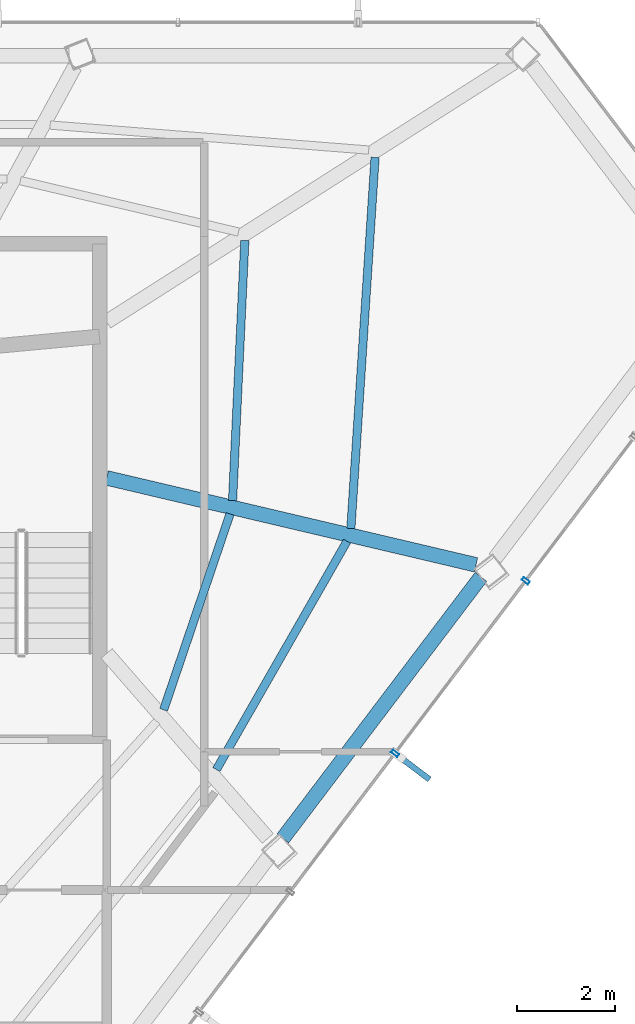
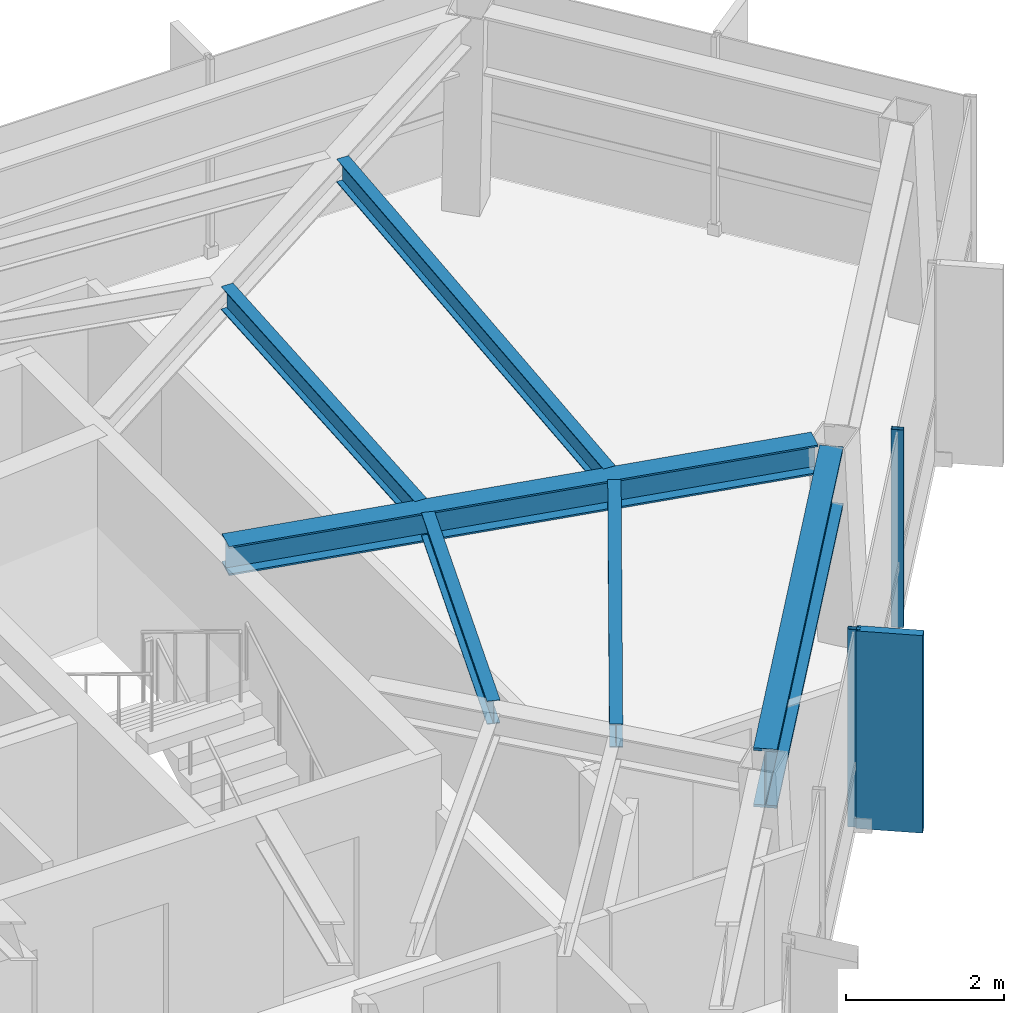
# One storey, part 17 of 24: 6 beams, 3 members, 1 element without a shape of its own.
"""IFC4 building model written with IfcOpenShell, lengths in metres."""

from ifc_helpers import new_model, si_unit, direction, frame, origin, origin_2d, place, context, subcontext, project, spatial, rectangle, hollow_rectangle, i_section, extrude, material, layer, layer_set, material_profile, profile_set, type_object, element, aggregate, save


model = new_model("IFC4")

# Units and contexts
model_context = context("Model", 3, precision=1e-05, world=origin(), true_north=direction((0.0, 1.0)))
body_context = subcontext(model_context, "Body", "Model", "MODEL_VIEW")
ifc_project = project(units=[si_unit("LENGTHUNIT", "METRE"), si_unit("AREAUNIT", "SQUARE_METRE"), si_unit("VOLUMEUNIT", "CUBIC_METRE"), si_unit("PLANEANGLEUNIT", "RADIAN"), si_unit("MASSUNIT", "GRAM", prefix="KILO")], contexts=[model_context])

# Site, building, storey
site_placement = place(None, origin())
site = spatial("IfcSite", under=ifc_project, at=site_placement, CompositionType="ELEMENT")
building_placement = place(site_placement, origin())
building = spatial("IfcBuilding", under=site, at=building_placement, Name="Zarrinselat Tower", CompositionType="ELEMENT")
storey_placement = place(building_placement, frame((0.0, 0.0, 249.56005859375)))
storey = spatial("IfcBuildingStorey", under=building, at=storey_placement, Name="L63", CompositionType="ELEMENT", Elevation=249.56005859375)

# Beams
ifc_material_1 = material(Name="Steel S355J2", Category="steel")
ifc_material_profile_1 = material_profile(ifc_material_1, i_section(OverallWidth=0.300048828125, OverallDepth=0.449951171875, WebThickness=0.013916015625, FlangeThickness=0.02587890625, at=origin_2d()), Name="HEB 450")
ifc_profile_set_1 = profile_set([ifc_material_profile_1], Name="Steel S355J2")
beam_type_1 = type_object("IfcBeamType", Name="BM-HEB450", PredefinedType="BEAM", material=ifc_profile_set_1)
beam_1_placement = place(storey_placement, frame((48.35009765625, 38.60009765625, 2.824951171875), z_axis=(0.973386293601, -0.229170511692, 0.0), x_axis=(0.229170511692, 0.973386293601, 0.0)))
element("IfcBeam", 1, at=beam_1_placement, inside=storey, type_object=beam_type_1, Name="L63 Radial Primary Girder RG14", PredefinedType="BEAM", context=body_context, shape_type="SweptSolid", body=[
    extrude(i_section(OverallWidth=0.300048828125, OverallDepth=0.449951171875, WebThickness=0.013916015625, FlangeThickness=0.02587890625, at=origin_2d()), origin(), (0.0, 0.0, 1.0), 7.780029296875),
])
ifc_material_2 = material(Name="Steel S460M", Category="steel")
ifc_material_profile_2 = material_profile(ifc_material_2, i_section(OverallWidth=0.302001953125, OverallDepth=0.909912109375, WebThickness=0.02099609375, FlangeThickness=0.0400390625, at=origin_2d()), Name="HEM 900")
ifc_profile_set_2 = profile_set([ifc_material_profile_2], Name="Steel S460M")
beam_type_2 = type_object("IfcBeamType", Name="BM-HEM900", PredefinedType="BEAM", material=ifc_profile_set_2)
beam_2_placement = place(storey_placement, frame((51.962646484375, 31.2080078125, 2.594970703125), z_axis=(0.6038604831, 0.797090030643, 0.0), x_axis=(-0.797090030643, 0.6038604831, 0.0)))
element("IfcBeam", 2, at=beam_2_placement, inside=storey, type_object=beam_type_2, Name="L63 Perimeter Spandrel Girder SP13", PredefinedType="BEAM", context=body_context, shape_type="SweptSolid", body=[
    extrude(i_section(OverallWidth=0.302001953125, OverallDepth=0.909912109375, WebThickness=0.02099609375, FlangeThickness=0.0400390625, at=origin_2d()), origin(), (0.0, 0.0, 1.0), 6.726806640625),
])
ifc_material_3 = material(Name="Steel S355J2", Category="steel")
ifc_material_profile_3 = material_profile(ifc_material_3, i_section(OverallWidth=0.169921875, OverallDepth=0.360107421875, WebThickness=0.008056640625, FlangeThickness=0.0126953125, at=origin_2d()), Name="IPE 360")
ifc_profile_set_3 = profile_set([ifc_material_profile_3], Name="Steel S355J2")
beam_type_3 = type_object("IfcBeamType", Name="BM-IPE360", PredefinedType="JOIST", material=ifc_profile_set_3)
beam_3_placement = place(storey_placement, frame((50.599853515625, 32.619140625, 2.869873046875), z_axis=(0.496582371968, 0.867989601234, 0.0), x_axis=(-0.867989601234, 0.496582371968, 0.0)))
element("IfcBeam", 3, at=beam_3_placement, inside=storey, type_object=beam_type_3, Name="L63 Composite Floor Joist 4-1", PredefinedType="JOIST", context=body_context, shape_type="SweptSolid", body=[
    extrude(i_section(OverallWidth=0.169921875, OverallDepth=0.360107421875, WebThickness=0.008056640625, FlangeThickness=0.0126953125, at=origin_2d()), origin(), (0.0, 0.0, 1.0), 5.394775390625),
])
beam_4_placement = place(storey_placement, frame((49.51806640625, 33.843505859375, 2.869873046875), z_axis=(0.321006035936, 0.947077148332, 0.0), x_axis=(-0.947077148332, 0.321006035936, 0.0)))
element("IfcBeam", 4, at=beam_4_placement, inside=storey, type_object=beam_type_3, Name="L63 Composite Floor Joist 4-2", PredefinedType="JOIST", context=body_context, shape_type="SweptSolid", body=[
    extrude(i_section(OverallWidth=0.169921875, OverallDepth=0.360107421875, WebThickness=0.008056640625, FlangeThickness=0.0126953125, at=origin_2d()), origin(), (0.0, 0.0, 1.0), 4.242431640625),
])
beam_5_placement = place(storey_placement, frame((53.357421875, 37.56298828125, 2.869873046875), z_axis=(0.065095079143, 0.997879066155, 0.0), x_axis=(-0.997879066155, 0.065095079143, 0.0)))
element("IfcBeam", 5, at=beam_5_placement, inside=storey, type_object=beam_type_3, Name="L63 Composite Floor Joist 5-1", PredefinedType="JOIST", context=body_context, shape_type="SweptSolid", body=[
    extrude(i_section(OverallWidth=0.169921875, OverallDepth=0.360107421875, WebThickness=0.008056640625, FlangeThickness=0.0126953125, at=origin_2d()), origin(), (0.0, 0.0, 1.0), 7.624755859375),
])
beam_6_placement = place(storey_placement, frame((50.931396484375, 38.1337890625, 2.869873046875), z_axis=(0.047172065867, 0.99888677847, 0.0), x_axis=(-0.99888677847, 0.047172065867, 0.0)))
element("IfcBeam", 6, at=beam_6_placement, inside=storey, type_object=beam_type_3, Name="L63 Composite Floor Joist 5-2", PredefinedType="JOIST", context=body_context, shape_type="SweptSolid", body=[
    extrude(i_section(OverallWidth=0.169921875, OverallDepth=0.360107421875, WebThickness=0.008056640625, FlangeThickness=0.0126953125, at=origin_2d()), origin(), (0.0, 0.0, 1.0), 5.341064453125),
])

# Curtain wall, members
ifc_material_4 = material(Name="Extruded Aluminium Alloy EN AW-6063 T6", Category="aluminium")
ifc_layer = layer(ifc_material_4, 0.169921875)
ifc_layer_set = layer_set([ifc_layer], Name="Extruded Aluminium Alloy EN AW-6063 T6")
curtain_wall_type = type_object("IfcCurtainWallType", Name="CWS-RES", PredefinedType="NOTDEFINED", material=ifc_layer_set)
curtain_wall_placement = place(storey_placement, origin())
curtain_wall = element("IfcCurtainWall", 7, at=curtain_wall_placement, inside=storey, type_object=curtain_wall_type, Name="L63 Unitised Curtain Wall CW-L63-E05", PredefinedType="NOTDEFINED")
ifc_material_5 = material(Name="Extruded Aluminium Alloy EN AW-6063 T6", Category="aluminium")
ifc_material_profile_4 = material_profile(ifc_material_5, hollow_rectangle(XDim=0.070068359375, YDim=0.159912109375, WallThickness=0.00390625, at=origin_2d()), Name="RHS 160x70x4")
ifc_profile_set_4 = profile_set([ifc_material_profile_4], Name="Extruded Aluminium Alloy EN AW-6063 T6")
member_type_1 = type_object("IfcMemberType", Name="MEM-CW-MUL2", PredefinedType="MULLION", material=ifc_profile_set_4)
member_1_placement = place(storey_placement, frame((54.263671875, 32.951416015625, 0.0), z_axis=(0.0, 0.0, 1.0), x_axis=(0.603855865899, 0.797093528527, 0.0)))
member_1 = element("IfcMember", 8, at=member_1_placement, type_object=member_type_1, Name="CW-L63-E05 Mullion 5", PredefinedType="MULLION", context=body_context, shape_type="SweptSolid", body=[
    extrude(hollow_rectangle(XDim=0.070068359375, YDim=0.159912109375, WallThickness=0.00390625, at=origin_2d()), origin(), (0.0, 0.0, 1.0), 3.050048828125),
])
member_2_placement = place(storey_placement, frame((56.9443359375, 36.48974609375, 0.0), z_axis=(0.0, 0.0, 1.0), x_axis=(0.603855865899, 0.797093528527, 0.0)))
member_2 = element("IfcMember", 9, at=member_2_placement, type_object=member_type_1, Name="CW-L63-E05 Mullion 6", PredefinedType="MULLION", context=body_context, shape_type="SweptSolid", body=[
    extrude(hollow_rectangle(XDim=0.070068359375, YDim=0.159912109375, WallThickness=0.00390625, at=origin_2d()), origin(), (0.0, 0.0, 1.0), 3.050048828125),
])
ifc_material_6 = material(Name="Honed Cream Travertine Stone", Category="masonry")
ifc_material_profile_5 = material_profile(ifc_material_6, rectangle(XDim=0.1201171875, YDim=0.85009765625, at=origin_2d()), Name="FIN 850x120")
ifc_profile_set_5 = profile_set([ifc_material_profile_5], Name="Honed Cream Travertine Stone")
member_type_2 = type_object("IfcMemberType", Name="MEM-STONE-FIN", PredefinedType="USERDEFINED", material=ifc_profile_set_5)
member_3_placement = place(storey_placement, frame((54.63037109375, 32.673583984375, 0.0), z_axis=(0.0, 0.0, 1.0), x_axis=(-0.603855865899, -0.797093528527, 0.0)))
member_3 = element("IfcMember", 10, at=member_3_placement, type_object=member_type_2, Name="L63 Stone Shading Fin CW-L63-E05-05", ObjectType="FIN", PredefinedType="USERDEFINED", context=body_context, shape_type="SweptSolid", body=[
    extrude(rectangle(XDim=0.1201171875, YDim=0.85009765625, at=origin_2d()), origin(), (0.0, 0.0, 1.0), 3.050048828125),
])
aggregate(curtain_wall, [member_1, member_3, member_2])

save(model, "model.ifc")
